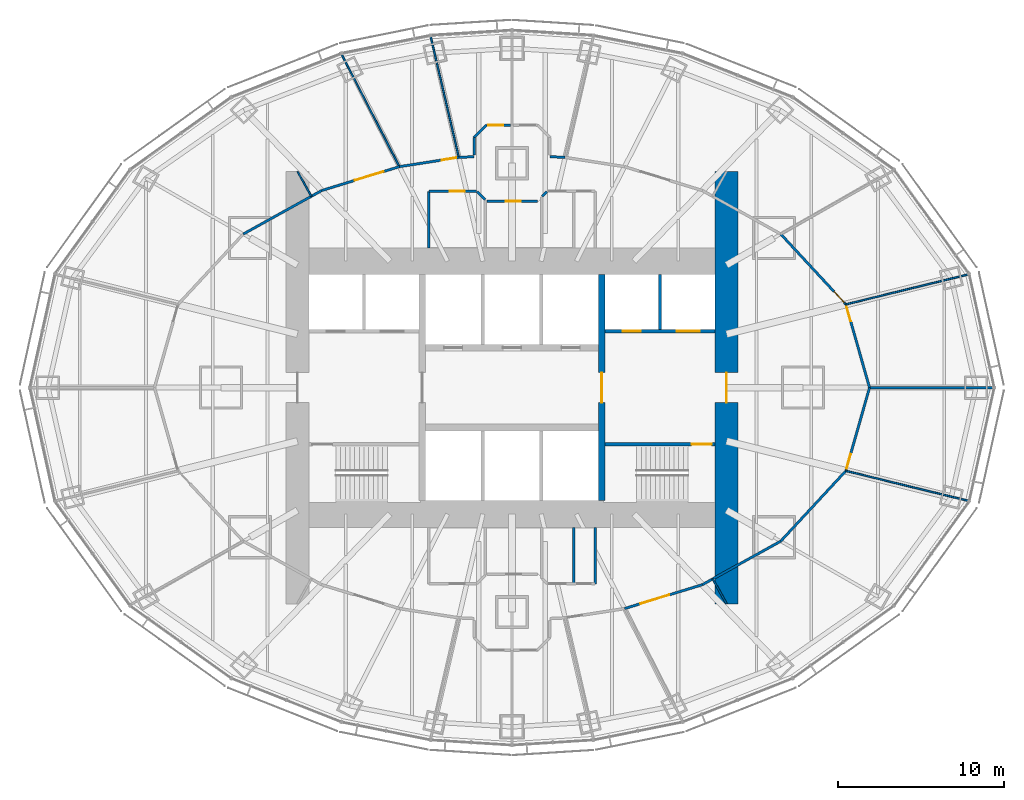
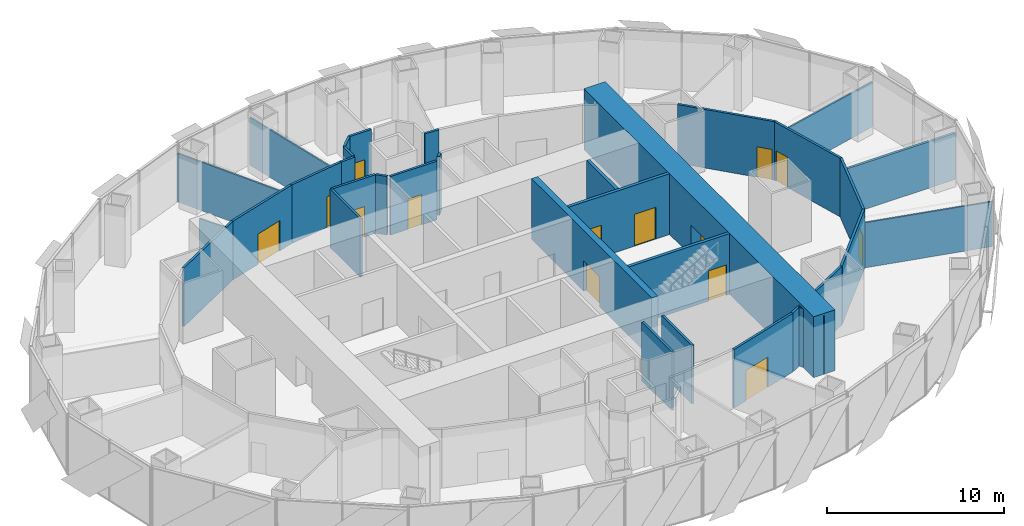
# One storey, part 12 of 17: 33 walls, 14 doors, 14 openings.
"""IFC4 building model written with IfcOpenShell, lengths in metres."""

from ifc_helpers import new_model, si_unit, direction, frame, frame_2d, origin, place, context, subcontext, project, spatial, rectangle, extrude, material, layer, layer_set, type_object, element, fill, save


model = new_model("IFC4")

# Units and contexts
model_context = context("Model", 3, precision=1e-05, world=origin(), true_north=direction((0.0, 1.0)))
body_context = subcontext(model_context, "Body", "Model", "MODEL_VIEW")
ifc_project = project(units=[si_unit("LENGTHUNIT", "METRE"), si_unit("AREAUNIT", "SQUARE_METRE"), si_unit("VOLUMEUNIT", "CUBIC_METRE"), si_unit("PLANEANGLEUNIT", "RADIAN"), si_unit("MASSUNIT", "GRAM", prefix="KILO")], contexts=[model_context])

# Site, building, storey
site_placement = place(None, origin())
site = spatial("IfcSite", under=ifc_project, at=site_placement, CompositionType="ELEMENT")
building_placement = place(site_placement, origin())
building = spatial("IfcBuilding", under=site, at=building_placement, Name="Lantaw Convention Tower", CompositionType="ELEMENT")
storey_placement = place(building_placement, frame((0.0, 0.0, 159.39990234375)))
storey = spatial("IfcBuildingStorey", under=building, at=storey_placement, Name="L37", CompositionType="ELEMENT", Elevation=159.39990234375)

# Wall, opening, door
ifc_material_1 = material(Name="Concrete C60/75", Category="concrete")
ifc_layer_1 = layer(ifc_material_1, 1.39990234375)
ifc_layer_set_1 = layer_set([ifc_layer_1], Name="Core wall 1400")
wall_type_1 = type_object("IfcWallType", Name="Core wall 1400", PredefinedType="SHEAR", material=ifc_layer_set_1)
wall_1_placement = place(storey_placement, frame((12.89990234375, -13.0, 0.0), z_axis=(0.0, 0.0, 1.0), x_axis=(0.0, 1.0, 0.0)))
wall_1 = element("IfcWall", 1, at=wall_1_placement, inside=storey, type_object=wall_type_1, Name="Core wall E", PredefinedType="SHEAR", context=body_context, shape_type="SweptSolid", body=[
    extrude(rectangle(XDim=26.0, YDim=1.39990234375, at=frame_2d((13.0, 0.0))), origin(), (0.0, 0.0, 1.0), 4.2001953125),
])
opening_1_placement = place(wall_1_placement, frame((12.10009765625, 0.0, 0.0)))
opening_1 = element("IfcOpeningElement", 2, at=opening_1_placement, cuts=wall_1, Name="Opening L37.05", PredefinedType="OPENING", context=body_context, shape_type="SweptSolid", body=[
    extrude(rectangle(XDim=1.800048828125, YDim=2.10009765625, at=frame_2d((0.89990234375, 1.050048828125))), frame((0.0, 0.7099609375, 0.0), z_axis=(0.0, -1.0, 0.0), x_axis=(1.0, 0.0, 0.0)), (0.0, 0.0, 1.0), 1.419921875),
])
ifc_material_2 = material(Name="Steel, fire rated", Category="steel")
door_type_1 = type_object("IfcDoorType", Name="Lobby double door FD90", OperationType="DOUBLE_DOOR_DOUBLE_SWING", PredefinedType="DOOR", material=ifc_material_2)
door_1_placement = place(opening_1_placement, origin())
door_1 = element("IfcDoor", 3, at=door_1_placement, inside=storey, type_object=door_type_1, Name="Firefighting lobby door", OperationType="DOUBLE_DOOR_DOUBLE_SWING", OverallHeight=2.10009765625, OverallWidth=1.800048828125, PredefinedType="DOOR", context=body_context, shape_type="SweptSolid", body=[
    extrude(rectangle(XDim=1.800048828125, YDim=2.10009765625, at=frame_2d((0.89990234375, 1.050048828125))), frame((0.0, 0.02490234375, 0.0), z_axis=(0.0, -1.0, 0.0), x_axis=(1.0, 0.0, 0.0)), (0.0, 0.0, 1.0), 0.050048828125),
])
fill(opening_1, door_1)

ifc_layer_2 = layer(ifc_material_1, 0.199951171875)
ifc_layer_set_2 = layer_set([ifc_layer_2], Name="Core wall 200")
wall_type_2 = type_object("IfcWallType", Name="Core wall 200", PredefinedType="SHEAR", material=ifc_layer_set_2)
wall_2_placement = place(storey_placement, frame((5.60009765625, -3.39990234375, 0.0), z_axis=(0.0, 0.0, 1.0), x_axis=(1.0, 0.0, 0.0)))
wall_2 = element("IfcWall", 4, at=wall_2_placement, inside=storey, type_object=wall_type_2, Name="Core wall ES", PredefinedType="SHEAR", context=body_context, shape_type="SweptSolid", body=[
    extrude(rectangle(XDim=6.599853515625, YDim=0.199951171875, at=frame_2d((3.2998046875, 0.0))), origin(), (0.0, 0.0, 1.0), 4.2001953125),
])
opening_2_placement = place(wall_2_placement, frame((5.199951171875, 0.0, 0.0)))
opening_2 = element("IfcOpeningElement", 5, at=opening_2_placement, cuts=wall_2, Name="Opening L37.03", PredefinedType="OPENING", context=body_context, shape_type="SweptSolid", body=[
    extrude(rectangle(XDim=1.199951171875, YDim=2.10009765625, at=frame_2d((0.60009765625, 1.050048828125))), frame((0.0, 0.10986328125, 0.0), z_axis=(0.0, -1.0, 0.0), x_axis=(1.0, 0.0, 0.0)), (0.0, 0.0, 1.0), 0.219970703125),
])
door_type_2 = type_object("IfcDoorType", Name="Stair door FD90", OperationType="SINGLE_SWING_RIGHT", PredefinedType="DOOR", material=ifc_material_2)
door_2_placement = place(opening_2_placement, origin())
door_2 = element("IfcDoor", 6, at=door_2_placement, inside=storey, type_object=door_type_2, Name="Exit stair door", OperationType="SINGLE_SWING_RIGHT", OverallHeight=2.10009765625, OverallWidth=1.199951171875, PredefinedType="DOOR", context=body_context, shape_type="SweptSolid", body=[
    extrude(rectangle(XDim=1.199951171875, YDim=2.10009765625, at=frame_2d((0.60009765625, 1.050048828125))), frame((0.0, 0.02490234375, 0.0), z_axis=(0.0, -1.0, 0.0), x_axis=(1.0, 0.0, 0.0)), (0.0, 0.0, 1.0), 0.050048828125),
])
fill(opening_2, door_2)

ifc_layer_3 = layer(ifc_material_1, 0.39990234375)
ifc_layer_set_3 = layer_set([ifc_layer_3], Name="Core wall 400")
wall_type_3 = type_object("IfcWallType", Name="Core wall 400", PredefinedType="SHEAR", material=ifc_layer_set_3)
wall_3_placement = place(storey_placement, frame((5.39990234375, -6.800048828125, 0.0), z_axis=(0.0, 0.0, 1.0), x_axis=(0.0, 1.0, 0.0)))
wall_3 = element("IfcWall", 7, at=wall_3_placement, inside=storey, type_object=wall_type_3, Name="Core wall XE", PredefinedType="SHEAR", context=body_context, shape_type="SweptSolid", body=[
    extrude(rectangle(XDim=13.60009765625, YDim=0.39990234375, at=frame_2d((6.800048828125, 0.0))), origin(), (0.0, 0.0, 1.0), 4.2001953125),
])
opening_3_placement = place(wall_3_placement, frame((5.89990234375, 0.0, 0.0)))
opening_3 = element("IfcOpeningElement", 8, at=opening_3_placement, cuts=wall_3, Name="Opening L37.01", PredefinedType="OPENING", context=body_context, shape_type="SweptSolid", body=[
    extrude(rectangle(XDim=1.800048828125, YDim=2.10009765625, at=frame_2d((0.89990234375, 1.050048828125))), frame((0.0, 0.2099609375, 0.0), z_axis=(0.0, -1.0, 0.0), x_axis=(1.0, 0.0, 0.0)), (0.0, 0.0, 1.0), 0.419921875),
])
door_3_placement = place(opening_3_placement, origin())
door_3 = element("IfcDoor", 9, at=door_3_placement, inside=storey, type_object=door_type_1, Name="Lift lobby door", OperationType="DOUBLE_DOOR_DOUBLE_SWING", OverallHeight=2.10009765625, OverallWidth=1.800048828125, PredefinedType="DOOR", context=body_context, shape_type="SweptSolid", body=[
    extrude(rectangle(XDim=1.800048828125, YDim=2.10009765625, at=frame_2d((0.89990234375, 1.050048828125))), frame((0.0, 0.02490234375, 0.0), z_axis=(0.0, -1.0, 0.0), x_axis=(1.0, 0.0, 0.0)), (0.0, 0.0, 1.0), 0.050048828125),
])
fill(opening_3, door_3)

ifc_material_3 = material(Name="Gypsum board on steel studs, fire rated", Category="steel")
ifc_layer_4 = layer(ifc_material_3, 0.14990234375)
ifc_layer_set_4 = layer_set([ifc_layer_4], Name="Corridor wall 150 EI 60")
wall_type_4 = type_object("IfcWallType", Name="Corridor wall 150 EI 60", PredefinedType="PARTITIONING", material=ifc_layer_set_4)
wall_4_placement = place(storey_placement, frame((21.5, 0.0, 0.0), z_axis=(0.0, 0.0, 1.0), x_axis=(-0.273177936169, 0.961963520717, 0.0)))
wall_4 = element("IfcWall", 10, at=wall_4_placement, inside=storey, type_object=wall_type_4, Name="Corridor wall 150", PredefinedType="PARTITIONING", context=body_context, shape_type="SweptSolid", body=[
    extrude(rectangle(XDim=5.2041015625, YDim=0.14990234375, at=frame_2d((2.60205078125, 0.0))), origin(), (0.0, 0.0, 1.0), 4.050048828125),
])
opening_4_placement = place(wall_4_placement, frame((4.154052734375, 0.0, 0.0)))
opening_4 = element("IfcOpeningElement", 11, at=opening_4_placement, cuts=wall_4, Name="Opening L37.22", PredefinedType="OPENING", context=body_context, shape_type="SweptSolid", body=[
    extrude(rectangle(XDim=0.89990234375, YDim=2.10009765625, at=frame_2d((0.449951171875, 1.050048828125))), frame((0.0, 0.0849609375, 0.0), z_axis=(0.0, -1.0, 0.0), x_axis=(1.0, 0.0, 0.0)), (0.0, 0.0, 1.0), 0.169921875),
])
door_type_3 = type_object("IfcDoorType", Name="Office door 900 FD30", OperationType="SINGLE_SWING_LEFT", PredefinedType="DOOR", material=ifc_material_2)
door_4_placement = place(opening_4_placement, origin())
door_4 = element("IfcDoor", 12, at=door_4_placement, inside=storey, type_object=door_type_3, Name="Meeting room door", OperationType="SINGLE_SWING_LEFT", OverallHeight=2.10009765625, OverallWidth=0.89990234375, PredefinedType="DOOR", context=body_context, shape_type="SweptSolid", body=[
    extrude(rectangle(XDim=0.89990234375, YDim=2.10009765625, at=frame_2d((0.449951171875, 1.050048828125))), frame((0.0, 0.02490234375, 0.0), z_axis=(0.0, -1.0, 0.0), x_axis=(1.0, 0.0, 0.0)), (0.0, 0.0, 1.0), 0.050048828125),
])
fill(opening_4, door_4)

wall_5_placement = place(storey_placement, frame((20.078369140625, 5.006103515625, 0.0), z_axis=(0.0, 0.0, 1.0), x_axis=(-0.679724658223, 0.733467374191, 0.0)))
wall_5 = element("IfcWall", 13, at=wall_5_placement, inside=storey, type_object=wall_type_4, Name="Corridor wall 150", PredefinedType="PARTITIONING", context=body_context, shape_type="SweptSolid", body=[
    extrude(rectangle(XDim=5.764892578125, YDim=0.14990234375, at=frame_2d((2.88232421875, 0.0))), origin(), (0.0, 0.0, 1.0), 4.050048828125),
])
opening_5_placement = place(wall_5_placement, frame((0.14990234375, 0.0, 0.0)))
opening_5 = element("IfcOpeningElement", 14, at=opening_5_placement, cuts=wall_5, Name="Opening L37.23", PredefinedType="OPENING", context=body_context, shape_type="SweptSolid", body=[
    extrude(rectangle(XDim=0.89990234375, YDim=2.10009765625, at=frame_2d((0.449951171875, 1.050048828125))), frame((0.0, 0.0849609375, 0.0), z_axis=(0.0, -1.0, 0.0), x_axis=(1.0, 0.0, 0.0)), (0.0, 0.0, 1.0), 0.169921875),
])
door_5_placement = place(opening_5_placement, origin())
door_5 = element("IfcDoor", 15, at=door_5_placement, inside=storey, type_object=door_type_3, Name="Private office door", OperationType="SINGLE_SWING_LEFT", OverallHeight=2.10009765625, OverallWidth=0.89990234375, PredefinedType="DOOR", context=body_context, shape_type="SweptSolid", body=[
    extrude(rectangle(XDim=0.89990234375, YDim=2.10009765625, at=frame_2d((0.449951171875, 1.050048828125))), frame((0.0, 0.02490234375, 0.0), z_axis=(0.0, -1.0, 0.0), x_axis=(1.0, 0.0, 0.0)), (0.0, 0.0, 1.0), 0.050048828125),
])
fill(opening_5, door_5)

wall_6_placement = place(storey_placement, frame((-3.1962890625, 13.844482421875, 0.0), z_axis=(0.0, 0.0, 1.0), x_axis=(-0.98808911792, -0.153882731479, 0.0)))
wall_6 = element("IfcWall", 16, at=wall_6_placement, inside=storey, type_object=wall_type_4, Name="Corridor wall 150", PredefinedType="PARTITIONING", context=body_context, shape_type="SweptSolid", body=[
    extrude(rectangle(XDim=3.6171875, YDim=0.14990234375, at=frame_2d((1.80859375, 0.0))), origin(), (0.0, 0.0, 1.0), 4.050048828125),
])
opening_6_placement = place(wall_6_placement, frame((0.14990234375, 0.0, 0.0)))
opening_6 = element("IfcOpeningElement", 17, at=opening_6_placement, cuts=wall_6, Name="Opening L37.27", PredefinedType="OPENING", context=body_context, shape_type="SweptSolid", body=[
    extrude(rectangle(XDim=0.89990234375, YDim=2.10009765625, at=frame_2d((0.449951171875, 1.050048828125))), frame((0.0, 0.0849609375, 0.0), z_axis=(0.0, -1.0, 0.0), x_axis=(1.0, 0.0, 0.0)), (0.0, 0.0, 1.0), 0.169921875),
])
door_6_placement = place(opening_6_placement, origin())
door_6 = element("IfcDoor", 18, at=door_6_placement, inside=storey, type_object=door_type_3, Name="Private office door", OperationType="SINGLE_SWING_LEFT", OverallHeight=2.10009765625, OverallWidth=0.89990234375, PredefinedType="DOOR", context=body_context, shape_type="SweptSolid", body=[
    extrude(rectangle(XDim=0.89990234375, YDim=2.10009765625, at=frame_2d((0.449951171875, 1.050048828125))), frame((0.0, 0.02490234375, 0.0), z_axis=(0.0, -1.0, 0.0), x_axis=(1.0, 0.0, 0.0)), (0.0, 0.0, 1.0), 0.050048828125),
])
fill(opening_6, door_6)

wall_7_placement = place(storey_placement, frame((-6.7705078125, 13.287841796875, 0.0), z_axis=(0.0, 0.0, 1.0), x_axis=(-0.955892284323, -0.293717450573, 0.0)))
wall_7 = element("IfcWall", 19, at=wall_7_placement, inside=storey, type_object=wall_type_4, Name="Corridor wall 150", PredefinedType="PARTITIONING", context=body_context, shape_type="SweptSolid", body=[
    extrude(rectangle(XDim=4.889892578125, YDim=0.14990234375, at=frame_2d((2.44482421875, 0.0))), origin(), (0.0, 0.0, 1.0), 4.050048828125),
])
opening_7_placement = place(wall_7_placement, frame((1.008544921875, 0.0, 0.0)))
opening_7 = element("IfcOpeningElement", 20, at=opening_7_placement, cuts=wall_7, Name="Opening L37.28", PredefinedType="OPENING", context=body_context, shape_type="SweptSolid", body=[
    extrude(rectangle(XDim=1.800048828125, YDim=2.10009765625, at=frame_2d((0.89990234375, 1.050048828125))), frame((0.0, 0.0849609375, 0.0), z_axis=(0.0, -1.0, 0.0), x_axis=(1.0, 0.0, 0.0)), (0.0, 0.0, 1.0), 0.169921875),
])
door_type_4 = type_object("IfcDoorType", Name="Office double door 1800 FD30", OperationType="DOUBLE_DOOR_DOUBLE_SWING", PredefinedType="DOOR", material=ifc_material_2)
door_7_placement = place(opening_7_placement, origin())
door_7 = element("IfcDoor", 21, at=door_7_placement, inside=storey, type_object=door_type_4, Name="Tenant suite door", OperationType="DOUBLE_DOOR_DOUBLE_SWING", OverallHeight=2.10009765625, OverallWidth=1.800048828125, PredefinedType="DOOR", context=body_context, shape_type="SweptSolid", body=[
    extrude(rectangle(XDim=1.800048828125, YDim=2.10009765625, at=frame_2d((0.89990234375, 1.050048828125))), frame((0.0, 0.02490234375, 0.0), z_axis=(0.0, -1.0, 0.0), x_axis=(1.0, 0.0, 0.0)), (0.0, 0.0, 1.0), 0.050048828125),
])
fill(opening_7, door_7)

# Wall
wall_8_placement = place(storey_placement, frame((-11.44482421875, 11.8515625, 0.0), z_axis=(0.0, 0.0, 1.0), x_axis=(-0.87433873028, -0.485316169865, 0.0)))
element("IfcWall", 22, at=wall_8_placement, inside=storey, type_object=wall_type_4, Name="Corridor wall 150", PredefinedType="PARTITIONING", context=body_context, shape_type="SweptSolid", body=[
    extrude(rectangle(XDim=5.392822265625, YDim=0.14990234375, at=frame_2d((2.6962890625, 0.0))), origin(), (0.0, 0.0, 1.0), 4.050048828125),
])

# Wall, opening, door
wall_9_placement = place(storey_placement, frame((6.7705078125, -13.287841796875, 0.0), z_axis=(0.0, 0.0, 1.0), x_axis=(0.955892284323, 0.293717450573, 0.0)))
wall_9 = element("IfcWall", 23, at=wall_9_placement, inside=storey, type_object=wall_type_4, Name="Corridor wall 150", PredefinedType="PARTITIONING", context=body_context, shape_type="SweptSolid", body=[
    extrude(rectangle(XDim=4.889892578125, YDim=0.14990234375, at=frame_2d((2.44482421875, 0.0))), origin(), (0.0, 0.0, 1.0), 4.050048828125),
])
opening_8_placement = place(wall_9_placement, frame((1.008544921875, 0.0, 0.0)))
opening_8 = element("IfcOpeningElement", 24, at=opening_8_placement, cuts=wall_9, Name="Opening L37.36", PredefinedType="OPENING", context=body_context, shape_type="SweptSolid", body=[
    extrude(rectangle(XDim=1.800048828125, YDim=2.10009765625, at=frame_2d((0.89990234375, 1.050048828125))), frame((0.0, 0.0849609375, 0.0), z_axis=(0.0, -1.0, 0.0), x_axis=(1.0, 0.0, 0.0)), (0.0, 0.0, 1.0), 0.169921875),
])
door_8_placement = place(opening_8_placement, origin())
door_8 = element("IfcDoor", 25, at=door_8_placement, inside=storey, type_object=door_type_4, Name="Tenant suite door", OperationType="DOUBLE_DOOR_DOUBLE_SWING", OverallHeight=2.10009765625, OverallWidth=1.800048828125, PredefinedType="DOOR", context=body_context, shape_type="SweptSolid", body=[
    extrude(rectangle(XDim=1.800048828125, YDim=2.10009765625, at=frame_2d((0.89990234375, 1.050048828125))), frame((0.0, 0.02490234375, 0.0), z_axis=(0.0, -1.0, 0.0), x_axis=(1.0, 0.0, 0.0)), (0.0, 0.0, 1.0), 0.050048828125),
])
fill(opening_8, door_8)

# Walls
wall_10_placement = place(storey_placement, frame((11.44482421875, -11.8515625, 0.0), z_axis=(0.0, 0.0, 1.0), x_axis=(0.87433873028, 0.485316169865, 0.0)))
element("IfcWall", 26, at=wall_10_placement, inside=storey, type_object=wall_type_4, Name="Corridor wall 150", PredefinedType="PARTITIONING", context=body_context, shape_type="SweptSolid", body=[
    extrude(rectangle(XDim=5.392822265625, YDim=0.14990234375, at=frame_2d((2.6962890625, 0.0))), origin(), (0.0, 0.0, 1.0), 4.050048828125),
])
wall_11_placement = place(storey_placement, frame((16.159912109375, -9.234375, 0.0), z_axis=(0.0, 0.0, 1.0), x_axis=(0.679724658223, 0.733467374191, 0.0)))
element("IfcWall", 27, at=wall_11_placement, inside=storey, type_object=wall_type_4, Name="Corridor wall 150", PredefinedType="PARTITIONING", context=body_context, shape_type="SweptSolid", body=[
    extrude(rectangle(XDim=5.764892578125, YDim=0.14990234375, at=frame_2d((2.88232421875, 0.0))), origin(), (0.0, 0.0, 1.0), 4.050048828125),
])

# Wall, opening, door
wall_12_placement = place(storey_placement, frame((20.078369140625, -5.006103515625, 0.0), z_axis=(0.0, 0.0, 1.0), x_axis=(0.273177936169, 0.961963520717, 0.0)))
wall_12 = element("IfcWall", 28, at=wall_12_placement, inside=storey, type_object=wall_type_4, Name="Corridor wall 150", PredefinedType="PARTITIONING", context=body_context, shape_type="SweptSolid", body=[
    extrude(rectangle(XDim=5.2041015625, YDim=0.14990234375, at=frame_2d((2.60205078125, 0.0))), origin(), (0.0, 0.0, 1.0), 4.050048828125),
])
opening_9_placement = place(wall_12_placement, frame((0.14990234375, 0.0, 0.0)))
opening_9 = element("IfcOpeningElement", 29, at=opening_9_placement, cuts=wall_12, Name="Opening L37.37", PredefinedType="OPENING", context=body_context, shape_type="SweptSolid", body=[
    extrude(rectangle(XDim=0.89990234375, YDim=2.10009765625, at=frame_2d((0.449951171875, 1.050048828125))), frame((0.0, 0.0849609375, 0.0), z_axis=(0.0, -1.0, 0.0), x_axis=(1.0, 0.0, 0.0)), (0.0, 0.0, 1.0), 0.169921875),
])
door_9_placement = place(opening_9_placement, origin())
door_9 = element("IfcDoor", 30, at=door_9_placement, inside=storey, type_object=door_type_3, Name="Pantry door", OperationType="SINGLE_SWING_LEFT", OverallHeight=2.10009765625, OverallWidth=0.89990234375, PredefinedType="DOOR", context=body_context, shape_type="SweptSolid", body=[
    extrude(rectangle(XDim=0.89990234375, YDim=2.10009765625, at=frame_2d((0.449951171875, 1.050048828125))), frame((0.0, 0.02490234375, 0.0), z_axis=(0.0, -1.0, 0.0), x_axis=(1.0, 0.0, 0.0)), (0.0, 0.0, 1.0), 0.050048828125),
])
fill(opening_9, door_9)

# Walls
for number, where, z_axis, x_axis, name in (
    (31, (3.1962890625, 13.844482421875, 0.0), (0.0, 0.0, 1.0), (-0.998826757305, 0.048426324366, 0.0), "Corridor wall 150"),
    (32, (-2.294921875, 13.88818359375, 0.0), (0.0, 0.0, 1.0), (-0.998826757305, -0.048426324366, 0.0), "Corridor wall 150"),
):
    element("IfcWall", number, at=place(storey_placement, frame(where, z_axis=z_axis, x_axis=x_axis)), inside=storey, type_object=wall_type_4, Name=name, PredefinedType="PARTITIONING", context=body_context, shape_type="SweptSolid", body=[
        extrude(rectangle(XDim=0.90234375, YDim=0.14990234375, at=frame_2d((0.451171875, 0.0))), origin(), (0.0, 0.0, 1.0), 4.050048828125),
    ])
wall_13_placement = place(storey_placement, frame((-2.284912109375, 13.989990234375, 0.0), z_axis=(0.0, 0.0, 1.0), x_axis=(0.0, 1.0, 0.0)))
element("IfcWall", 33, at=wall_13_placement, inside=storey, type_object=wall_type_4, Name="Corridor wall 150", PredefinedType="PARTITIONING", context=body_context, shape_type="SweptSolid", body=[
    extrude(rectangle(XDim=1.042236328125, YDim=0.14990234375, at=frame_2d((0.52099609375, 0.0))), origin(), (0.0, 0.0, 1.0), 4.050048828125),
])
wall_14_placement = place(storey_placement, frame((-2.284912109375, 15.0322265625, 0.0), z_axis=(0.0, 0.0, 1.0), x_axis=(0.707106781187, 0.707106781187, 0.0)))
element("IfcWall", 34, at=wall_14_placement, inside=storey, type_object=wall_type_4, Name="Corridor wall 150", PredefinedType="PARTITIONING", context=body_context, shape_type="SweptSolid", body=[
    extrude(rectangle(XDim=1.064453125, YDim=0.14990234375, at=frame_2d((0.5322265625, 0.0))), origin(), (0.0, 0.0, 1.0), 4.050048828125),
])

# Wall, opening, door
wall_15_placement = place(storey_placement, frame((-1.5322265625, 15.784912109375, 0.0), z_axis=(0.0, 0.0, 1.0), x_axis=(1.0, 0.0, 0.0)))
wall_15 = element("IfcWall", 35, at=wall_15_placement, inside=storey, type_object=wall_type_4, Name="Corridor wall 150", PredefinedType="PARTITIONING", context=body_context, shape_type="SweptSolid", body=[
    extrude(rectangle(XDim=1.428955078125, YDim=0.14990234375, at=frame_2d((0.71435546875, 0.0))), origin(), (0.0, 0.0, 1.0), 4.050048828125),
])
opening_10_placement = place(wall_15_placement, frame((0.10009765625, 0.0, 0.0)))
opening_10 = element("IfcOpeningElement", 36, at=opening_10_placement, cuts=wall_15, Name="Opening L37.26", PredefinedType="OPENING", context=body_context, shape_type="SweptSolid", body=[
    extrude(rectangle(XDim=0.89990234375, YDim=2.10009765625, at=frame_2d((0.449951171875, 1.050048828125))), frame((0.0, 0.0849609375, 0.0), z_axis=(0.0, -1.0, 0.0), x_axis=(1.0, 0.0, 0.0)), (0.0, 0.0, 1.0), 0.169921875),
])
door_10_placement = place(opening_10_placement, origin())
door_10 = element("IfcDoor", 37, at=door_10_placement, inside=storey, type_object=door_type_3, Name="Meeting room door", OperationType="SINGLE_SWING_LEFT", OverallHeight=2.10009765625, OverallWidth=0.89990234375, PredefinedType="DOOR", context=body_context, shape_type="SweptSolid", body=[
    extrude(rectangle(XDim=0.89990234375, YDim=2.10009765625, at=frame_2d((0.449951171875, 1.050048828125))), frame((0.0, 0.02490234375, 0.0), z_axis=(0.0, -1.0, 0.0), x_axis=(1.0, 0.0, 0.0)), (0.0, 0.0, 1.0), 0.050048828125),
])
fill(opening_10, door_10)

# Walls
ifc_material_4 = material(Name="Gypsum board on steel studs, acoustic", Category="steel")
ifc_layer_5 = layer(ifc_material_4, 0.10009765625)
ifc_layer_set_5 = layer_set([ifc_layer_5], Name="Office partition 100")
wall_type_5 = type_object("IfcWallType", Name="Office partition 100", PredefinedType="PARTITIONING", material=ifc_layer_set_5)
wall_16_placement = place(storey_placement, frame((27.440673828125, 6.808837890625, 0.0), z_axis=(0.0, 0.0, 1.0), x_axis=(-0.971305815804, -0.237834001323, 0.0)))
element("IfcWall", 38, at=wall_16_placement, inside=storey, type_object=wall_type_5, Name="Office partition 100", PredefinedType="PARTITIONING", context=body_context, shape_type="SweptSolid", body=[
    extrude(rectangle(XDim=7.579833984375, YDim=0.10009765625, at=frame_2d((3.7900390625, 0.0))), origin(), (0.0, 0.0, 1.0), 3.11279296875),
])
wall_17_placement = place(storey_placement, frame((-4.89697265625, 21.134765625, 0.0), z_axis=(0.0, 0.0, 1.0), x_axis=(0.227181159974, -0.973852514785, 0.0)))
element("IfcWall", 39, at=wall_17_placement, inside=storey, type_object=wall_type_5, Name="Office partition 100", PredefinedType="PARTITIONING", context=body_context, shape_type="SweptSolid", body=[
    extrude(rectangle(XDim=7.486083984375, YDim=0.10009765625, at=frame_2d((3.7431640625, 0.0))), origin(), (0.0, 0.0, 1.0), 3.293212890625),
])
wall_18_placement = place(storey_placement, frame((-10.25341796875, 20.0517578125, 0.0), z_axis=(0.0, 0.0, 1.0), x_axis=(0.457797505753, -0.88905649074, 0.0)))
element("IfcWall", 40, at=wall_18_placement, inside=storey, type_object=wall_type_5, Name="Office partition 100", PredefinedType="PARTITIONING", context=body_context, shape_type="SweptSolid", body=[
    extrude(rectangle(XDim=7.60791015625, YDim=0.10009765625, at=frame_2d((3.803955078125, 0.0))), origin(), (0.0, 0.0, 1.0), 3.34912109375),
])
wall_19_placement = place(storey_placement, frame((27.440673828125, -6.808837890625, 0.0), z_axis=(0.0, 0.0, 1.0), x_axis=(-0.971305815804, 0.237834001323, 0.0)))
element("IfcWall", 41, at=wall_19_placement, inside=storey, type_object=wall_type_5, Name="Office partition 100", PredefinedType="PARTITIONING", context=body_context, shape_type="SweptSolid", body=[
    extrude(rectangle(XDim=7.579833984375, YDim=0.10009765625, at=frame_2d((3.7900390625, 0.0))), origin(), (0.0, 0.0, 1.0), 3.11279296875),
])
for number, where, z_axis, x_axis, name in (
    (42, (12.89990234375, -13.0, 0.0), (0.0, 0.0, 1.0), (-0.485339901234, 0.87432555737, 0.0), "Office partition 100"),
    (43, (-12.89990234375, 13.0, 0.0), (0.0, 0.0, 1.0), (0.485339901234, -0.87432555737, 0.0), "Office partition 100"),
):
    element("IfcWall", number, at=place(storey_placement, frame(where, z_axis=z_axis, x_axis=x_axis)), inside=storey, type_object=wall_type_5, Name=name, PredefinedType="PARTITIONING", context=body_context, shape_type="SweptSolid", body=[
        extrude(rectangle(XDim=1.710205078125, YDim=0.10009765625, at=frame_2d((0.85498046875, 0.0))), origin(), (0.0, 0.0, 1.0), 4.050048828125),
    ])

# Wall, openings, doors
ifc_material_5 = material(Name="Concrete blockwork, fire rated", Category="masonry")
ifc_layer_6 = layer(ifc_material_5, 0.199951171875)
ifc_layer_set_6 = layer_set([ifc_layer_6], Name="Shaft wall 200")
wall_type_6 = type_object("IfcWallType", Name="Shaft wall 200", PredefinedType="SOLIDWALL", material=ifc_layer_set_6)
wall_20_placement = place(storey_placement, frame((12.199951171875, 3.39990234375, 0.0), z_axis=(0.0, 0.0, 1.0), x_axis=(-1.0, 0.0, 0.0)))
wall_20 = element("IfcWall", 44, at=wall_20_placement, inside=storey, type_object=wall_type_6, Name="Shaft wall EN", PredefinedType="SOLIDWALL", context=body_context, shape_type="SweptSolid", body=[
    extrude(rectangle(XDim=6.599853515625, YDim=0.199951171875, at=frame_2d((3.2998046875, 0.0))), origin(), (0.0, 0.0, 1.0), 4.2001953125),
])
opening_11_placement = place(wall_20_placement, frame((4.449951171875, 0.0, 0.0)))
opening_11 = element("IfcOpeningElement", 45, at=opening_11_placement, cuts=wall_20, Name="Opening L37.12", PredefinedType="OPENING", context=body_context, shape_type="SweptSolid", body=[
    extrude(rectangle(XDim=1.10009765625, YDim=2.199951171875, at=frame_2d((0.550048828125, 1.10009765625))), frame((0.0, 0.10986328125, 0.0), z_axis=(0.0, -1.0, 0.0), x_axis=(1.0, 0.0, 0.0)), (0.0, 0.0, 1.0), 0.219970703125),
])
opening_12_placement = place(wall_20_placement, frame((0.89990234375, 0.0, 0.0)))
opening_12 = element("IfcOpeningElement", 46, at=opening_12_placement, cuts=wall_20, Name="Opening L37.13", PredefinedType="OPENING", context=body_context, shape_type="SweptSolid", body=[
    extrude(rectangle(XDim=1.39990234375, YDim=2.199951171875, at=frame_2d((0.699951171875, 1.10009765625))), frame((0.0, 0.10986328125, 0.0), z_axis=(0.0, -1.0, 0.0), x_axis=(1.0, 0.0, 0.0)), (0.0, 0.0, 1.0), 0.219970703125),
])
ifc_material_6 = material(Name="Stainless steel", Category="steel")
door_type_5 = type_object("IfcDoorType", Name="Lift landing door 1100", OperationType="DOUBLE_DOOR_SLIDING", PredefinedType="DOOR", material=ifc_material_6)
door_11_placement = place(opening_11_placement, origin())
door_11 = element("IfcDoor", 47, at=door_11_placement, inside=storey, type_object=door_type_5, Name="Lift landing door FF2", OperationType="DOUBLE_DOOR_SLIDING", OverallHeight=2.199951171875, OverallWidth=1.10009765625, PredefinedType="DOOR", context=body_context, shape_type="SweptSolid", body=[
    extrude(rectangle(XDim=1.10009765625, YDim=2.199951171875, at=frame_2d((0.550048828125, 1.10009765625))), frame((0.0, 0.02490234375, 0.0), z_axis=(0.0, -1.0, 0.0), x_axis=(1.0, 0.0, 0.0)), (0.0, 0.0, 1.0), 0.050048828125),
])
fill(opening_11, door_11)
door_type_6 = type_object("IfcDoorType", Name="Lift landing door 1400", OperationType="DOUBLE_DOOR_SLIDING", PredefinedType="DOOR", material=ifc_material_6)
door_12_placement = place(opening_12_placement, origin())
door_12 = element("IfcDoor", 48, at=door_12_placement, inside=storey, type_object=door_type_6, Name="Lift landing door SV2", OperationType="DOUBLE_DOOR_SLIDING", OverallHeight=2.199951171875, OverallWidth=1.39990234375, PredefinedType="DOOR", context=body_context, shape_type="SweptSolid", body=[
    extrude(rectangle(XDim=1.39990234375, YDim=2.199951171875, at=frame_2d((0.699951171875, 1.10009765625))), frame((0.0, 0.02490234375, 0.0), z_axis=(0.0, -1.0, 0.0), x_axis=(1.0, 0.0, 0.0)), (0.0, 0.0, 1.0), 0.050048828125),
])
fill(opening_12, door_12)

# Walls
wall_21_placement = place(storey_placement, frame((8.89990234375, 3.5, 0.0), z_axis=(0.0, 0.0, 1.0), x_axis=(0.0, 1.0, 0.0)))
element("IfcWall", 49, at=wall_21_placement, inside=storey, type_object=wall_type_6, Name="Shaft wall ED", PredefinedType="SOLIDWALL", context=body_context, shape_type="SweptSolid", body=[
    extrude(rectangle(XDim=3.300048828125, YDim=0.199951171875, at=frame_2d((1.64990234375, 0.0))), origin(), (0.0, 0.0, 1.0), 4.2001953125),
])
ifc_layer_7 = layer(ifc_material_3, 0.14990234375)
ifc_layer_set_7 = layer_set([ifc_layer_7], Name="Tenant separation wall 150 EI 60")
wall_type_7 = type_object("IfcWallType", Name="Tenant separation wall 150 EI 60", PredefinedType="PARTITIONING", material=ifc_layer_set_7)
wall_22_placement = place(storey_placement, frame((28.944091796875, 0.0, 0.0), z_axis=(0.0, 0.0, 1.0), x_axis=(-1.0, 0.0, 0.0)))
element("IfcWall", 50, at=wall_22_placement, inside=storey, type_object=wall_type_7, Name="Tenant separation wall 150", PredefinedType="PARTITIONING", context=body_context, shape_type="SweptSolid", body=[
    extrude(rectangle(XDim=7.444091796875, YDim=0.14990234375, at=frame_2d((3.72216796875, 0.0))), origin(), (0.0, 0.0, 1.0), 3.204345703125),
])
ifc_material_7 = material(Name="Concrete blockwork", Category="masonry")
ifc_layer_8 = layer(ifc_material_7, 0.14990234375)
ifc_layer_set_8 = layer_set([ifc_layer_8], Name="WC wall 150")
wall_type_8 = type_object("IfcWallType", Name="WC wall 150", PredefinedType="SOLIDWALL", material=ifc_layer_set_8)
for number, where, z_axis, x_axis, name in (
    (51, (-5.0, 8.39990234375, 0.0), (0.0, 0.0, 1.0), (0.0, 1.0, 0.0), "WC wall 150"),
    (52, (5.0, -8.39990234375, 0.0), (0.0, 0.0, 1.0), (0.0, -1.0, 0.0), "WC wall 150"),
    (53, (3.699951171875, -8.39990234375, 0.0), (0.0, 0.0, 1.0), (0.0, -1.0, 0.0), "WC wall 150"),
):
    element("IfcWall", number, at=place(storey_placement, frame(where, z_axis=z_axis, x_axis=x_axis)), inside=storey, type_object=wall_type_8, Name=name, PredefinedType="SOLIDWALL", context=body_context, shape_type="SweptSolid", body=[
        extrude(rectangle(XDim=3.400146484375, YDim=0.14990234375, at=frame_2d((1.7001953125, 0.0))), origin(), (0.0, 0.0, 1.0), 4.050048828125),
    ])

# Wall, opening, door
wall_23_placement = place(storey_placement, frame((-5.0, 11.800048828125, 0.0), z_axis=(0.0, 0.0, 1.0), x_axis=(1.0, 0.0, 0.0)))
wall_23 = element("IfcWall", 54, at=wall_23_placement, inside=storey, type_object=wall_type_8, Name="WC wall 150", PredefinedType="SOLIDWALL", context=body_context, shape_type="SweptSolid", body=[
    extrude(rectangle(XDim=2.86865234375, YDim=0.14990234375, at=frame_2d((1.434326171875, 0.0))), origin(), (0.0, 0.0, 1.0), 4.050048828125),
])
opening_13_placement = place(wall_23_placement, frame((1.25, 0.0, 0.0)))
opening_13 = element("IfcOpeningElement", 55, at=opening_13_placement, cuts=wall_23, Name="Opening L37.14", PredefinedType="OPENING", context=body_context, shape_type="SweptSolid", body=[
    extrude(rectangle(XDim=0.89990234375, YDim=2.10009765625, at=frame_2d((0.449951171875, 1.050048828125))), frame((0.0, 0.0849609375, 0.0), z_axis=(0.0, -1.0, 0.0), x_axis=(1.0, 0.0, 0.0)), (0.0, 0.0, 1.0), 0.169921875),
])
ifc_material_8 = material(Name="Timber", Category="wood")
door_type_7 = type_object("IfcDoorType", Name="WC door 900", OperationType="SINGLE_SWING_LEFT", PredefinedType="DOOR", material=ifc_material_8)
door_13_placement = place(opening_13_placement, origin())
door_13 = element("IfcDoor", 56, at=door_13_placement, inside=storey, type_object=door_type_7, Name="Female WC door", OperationType="SINGLE_SWING_LEFT", OverallHeight=2.10009765625, OverallWidth=0.89990234375, PredefinedType="DOOR", context=body_context, shape_type="SweptSolid", body=[
    extrude(rectangle(XDim=0.89990234375, YDim=2.10009765625, at=frame_2d((0.449951171875, 1.050048828125))), frame((0.0, 0.02490234375, 0.0), z_axis=(0.0, -1.0, 0.0), x_axis=(1.0, 0.0, 0.0)), (0.0, 0.0, 1.0), 0.050048828125),
])
fill(opening_13, door_13)

# Wall
wall_24_placement = place(storey_placement, frame((-1.615966796875, 11.298583984375, 0.0), z_axis=(0.0, 0.0, 1.0), x_axis=(-0.706928959799, 0.707284557867, 0.0)))
element("IfcWall", 57, at=wall_24_placement, inside=storey, type_object=wall_type_8, Name="WC wall 150", PredefinedType="SOLIDWALL", context=body_context, shape_type="SweptSolid", body=[
    extrude(rectangle(XDim=0.6865234375, YDim=0.14990234375, at=frame_2d((0.34326171875, 0.0))), origin(), (0.0, 0.0, 1.0), 4.050048828125),
])

# Wall, opening, door
wall_25_placement = place(storey_placement, frame((1.5322265625, 11.215087890625, 0.0), z_axis=(0.0, 0.0, 1.0), x_axis=(-1.0, 0.0, 0.0)))
wall_25 = element("IfcWall", 58, at=wall_25_placement, inside=storey, type_object=wall_type_8, Name="WC wall 150", PredefinedType="SOLIDWALL", context=body_context, shape_type="SweptSolid", body=[
    extrude(rectangle(XDim=3.02734375, YDim=0.14990234375, at=frame_2d((1.513671875, 0.0))), origin(), (0.0, 0.0, 1.0), 4.050048828125),
])
opening_14_placement = place(wall_25_placement, frame((1.0, 0.0, 0.0)))
opening_14 = element("IfcOpeningElement", 59, at=opening_14_placement, cuts=wall_25, Name="Opening L37.15", PredefinedType="OPENING", context=body_context, shape_type="SweptSolid", body=[
    extrude(rectangle(XDim=0.89990234375, YDim=2.10009765625, at=frame_2d((0.449951171875, 1.050048828125))), frame((0.0, 0.0849609375, 0.0), z_axis=(0.0, -1.0, 0.0), x_axis=(1.0, 0.0, 0.0)), (0.0, 0.0, 1.0), 0.169921875),
])
door_14_placement = place(opening_14_placement, origin())
door_14 = element("IfcDoor", 60, at=door_14_placement, inside=storey, type_object=door_type_7, Name="Male WC door", OperationType="SINGLE_SWING_LEFT", OverallHeight=2.10009765625, OverallWidth=0.89990234375, PredefinedType="DOOR", context=body_context, shape_type="SweptSolid", body=[
    extrude(rectangle(XDim=0.89990234375, YDim=2.10009765625, at=frame_2d((0.449951171875, 1.050048828125))), frame((0.0, 0.02490234375, 0.0), z_axis=(0.0, -1.0, 0.0), x_axis=(1.0, 0.0, 0.0)), (0.0, 0.0, 1.0), 0.050048828125),
])
fill(opening_14, door_14)

# Wall
wall_26_placement = place(storey_placement, frame((2.101318359375, 11.7841796875, 0.0), z_axis=(0.0, 0.0, 1.0), x_axis=(-0.706804405012, -0.707409028113, 0.0)))
element("IfcWall", 61, at=wall_26_placement, inside=storey, type_object=wall_type_8, Name="WC wall 150", PredefinedType="SOLIDWALL", context=body_context, shape_type="SweptSolid", body=[
    extrude(rectangle(XDim=0.40380859375, YDim=0.14990234375, at=frame_2d((0.201904296875, 0.0))), origin(), (0.0, 0.0, 1.0), 4.050048828125),
])

save(model, "model.ifc")
